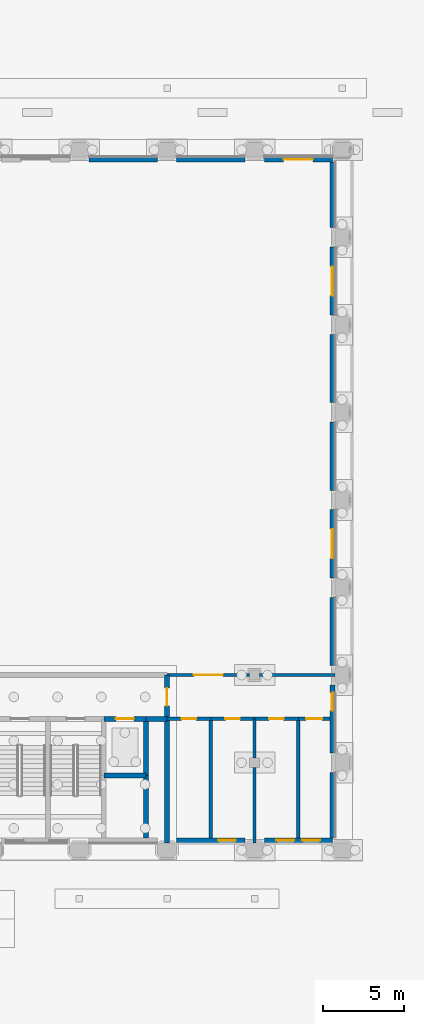
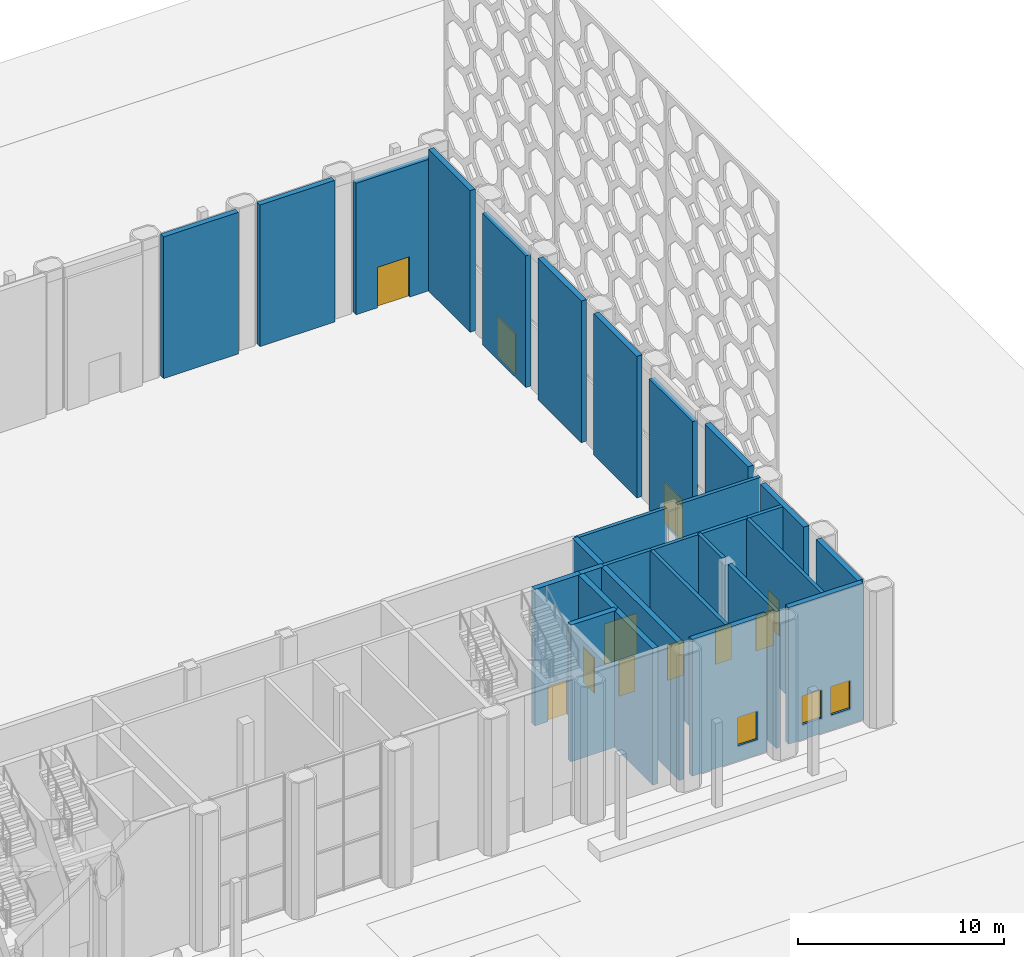
# One storey, part 36 of 54: 30 walls, 11 doors, 3 windows, 14 openings.
"""IFC4 building model written with IfcOpenShell, lengths in metres."""

from ifc_helpers import new_model, si_unit, direction, frame, frame_2d, origin, place, context, subcontext, project, spatial, rectangle, extrude, material, layer, layer_set, type_object, element, fill, save


model = new_model("IFC4")

# Units and contexts
model_context = context("Model", 3, precision=1e-05, world=origin(), true_north=direction((0.0, 1.0)))
body_context = subcontext(model_context, "Body", "Model", "MODEL_VIEW")
ifc_project = project(units=[si_unit("LENGTHUNIT", "METRE"), si_unit("AREAUNIT", "SQUARE_METRE"), si_unit("VOLUMEUNIT", "CUBIC_METRE"), si_unit("PLANEANGLEUNIT", "RADIAN"), si_unit("MASSUNIT", "GRAM", prefix="KILO")], contexts=[model_context])

# Site, building, storey
site_placement = place(None, origin())
site = spatial("IfcSite", under=ifc_project, at=site_placement, CompositionType="ELEMENT")
building_placement = place(site_placement, origin())
building = spatial("IfcBuilding", under=site, at=building_placement, Name="Tabaq Tower and Sports Hall", CompositionType="ELEMENT")
storey_placement = place(building_placement, origin())
storey = spatial("IfcBuildingStorey", under=building, at=storey_placement, Name="L00", CompositionType="ELEMENT", Elevation=0.0)

# Wall
ifc_material_1 = material(Name="Concrete C50/60", Category="concrete")
ifc_layer_1 = layer(ifc_material_1, 0.300048828125)
ifc_layer_set_1 = layer_set([ifc_layer_1], Name="HALL CORE WALL RC 300 C50/60")
wall_type_1 = type_object("IfcWallType", Name="HALL CORE WALL RC 300 C50/60", PredefinedType="SHEAR", material=ifc_layer_set_1)
wall_1_placement = place(storey_placement, frame((113.39990234375, 0.449951171875, 0.0), z_axis=(0.0, 0.0, 1.0), x_axis=(0.0, 1.0, 0.0)))
element("IfcWall", 1, at=wall_1_placement, inside=storey, type_object=wall_type_1, Name="L00 core wall 023", PredefinedType="SHEAR", context=body_context, shape_type="SweptSolid", body=[
    extrude(rectangle(XDim=7.650146484375, YDim=0.300048828125, at=frame_2d((3.8251953125, 0.0))), origin(), (0.0, 0.0, 1.0), 8.10009765625),
])

# Wall, opening, door
wall_2_placement = place(storey_placement, frame((113.39990234375, 8.10009765625, 0.0), z_axis=(0.0, 0.0, 1.0), x_axis=(0.0, 1.0, 0.0)))
wall_2 = element("IfcWall", 2, at=wall_2_placement, inside=storey, type_object=wall_type_1, Name="L00 core wall 032", PredefinedType="SHEAR", context=body_context, shape_type="SweptSolid", body=[
    extrude(rectangle(XDim=2.699951171875, YDim=0.300048828125, at=frame_2d((1.35009765625, 0.0))), origin(), (0.0, 0.0, 1.0), 8.10009765625),
])
opening_1_placement = place(wall_2_placement, frame((0.800048828125, 0.0, 0.0)))
opening_1 = element("IfcOpeningElement", 3, at=opening_1_placement, cuts=wall_2, Name="Opening HD032", PredefinedType="OPENING", context=body_context, shape_type="SweptSolid", body=[
    extrude(rectangle(XDim=1.10009765625, YDim=2.10009765625, at=frame_2d((0.550048828125, 1.050048828125))), frame((0.0, 0.14990234375, 0.0), z_axis=(0.0, -1.0, 0.0), x_axis=(1.0, 0.0, 0.0)), (0.0, 0.0, 1.0), 0.300048828125),
])
ifc_material_2 = material(Name="Steel fire door leaf in steel frame", Category="steel")
door_type_1 = type_object("IfcDoorType", Name="HALL FIRE DOOR 1100x2100", OperationType="SINGLE_SWING_LEFT", PredefinedType="DOOR", material=ifc_material_2)
door_1_placement = place(opening_1_placement, origin())
door_1 = element("IfcDoor", 4, at=door_1_placement, inside=storey, type_object=door_type_1, Name="Door HD032", OperationType="SINGLE_SWING_LEFT", OverallHeight=2.10009765625, OverallWidth=1.10009765625, PredefinedType="DOOR", context=body_context, shape_type="SweptSolid", body=[
    extrude(rectangle(XDim=1.10009765625, YDim=2.10009765625, at=frame_2d((0.550048828125, 1.050048828125))), frame((0.0, 0.02490234375, 0.0), z_axis=(0.0, -1.0, 0.0), x_axis=(1.0, 0.0, 0.0)), (0.0, 0.0, 1.0), 0.050048828125),
])
fill(opening_1, door_1)

# Walls
wall_3_placement = place(storey_placement, frame((109.5, 4.60009765625, 0.0), z_axis=(0.0, 0.0, 1.0), x_axis=(1.0, 0.0, 0.0)))
element("IfcWall", 5, at=wall_3_placement, inside=storey, type_object=wall_type_1, Name="L00 core wall 052", PredefinedType="SHEAR", context=body_context, shape_type="SweptSolid", body=[
    extrude(rectangle(XDim=2.60009765625, YDim=0.300048828125, at=frame_2d((1.300048828125, 0.0))), origin(), (0.0, 0.0, 1.0), 8.10009765625),
])
wall_4_placement = place(storey_placement, frame((112.10009765625, 4.60009765625, 0.0), z_axis=(0.0, 0.0, 1.0), x_axis=(0.0, 1.0, 0.0)))
element("IfcWall", 6, at=wall_4_placement, inside=storey, type_object=wall_type_1, Name="L00 core wall 053", PredefinedType="SHEAR", context=body_context, shape_type="SweptSolid", body=[
    extrude(rectangle(XDim=3.5, YDim=0.300048828125, at=frame_2d((1.75, 0.0))), origin(), (0.0, 0.0, 1.0), 8.10009765625),
])

# Wall, opening, door
wall_5_placement = place(storey_placement, frame((109.5, 8.10009765625, 0.0), z_axis=(0.0, 0.0, 1.0), x_axis=(1.0, 0.0, 0.0)))
wall_5 = element("IfcWall", 7, at=wall_5_placement, inside=storey, type_object=wall_type_1, Name="L00 core wall 054", PredefinedType="SHEAR", context=body_context, shape_type="SweptSolid", body=[
    extrude(rectangle(XDim=2.60009765625, YDim=0.300048828125, at=frame_2d((1.300048828125, 0.0))), origin(), (0.0, 0.0, 1.0), 8.10009765625),
])
opening_2_placement = place(wall_5_placement, frame((0.75, 0.0, 0.0)))
opening_2 = element("IfcOpeningElement", 8, at=opening_2_placement, cuts=wall_5, Name="Opening LDB-L00", PredefinedType="OPENING", context=body_context, shape_type="SweptSolid", body=[
    extrude(rectangle(XDim=1.10009765625, YDim=2.10009765625, at=frame_2d((0.550048828125, 1.050048828125))), frame((0.0, 0.14990234375, 0.0), z_axis=(0.0, -1.0, 0.0), x_axis=(1.0, 0.0, 0.0)), (0.0, 0.0, 1.0), 0.300048828125),
])
ifc_material_3 = material(Name="Stainless steel landing door panels", Category="steel")
door_type_2 = type_object("IfcDoorType", Name="HALL LIFT LANDING DOOR 1100x2100", OperationType="SLIDING_TO_LEFT", PredefinedType="DOOR", material=ifc_material_3)
door_2_placement = place(opening_2_placement, origin())
door_2 = element("IfcDoor", 9, at=door_2_placement, inside=storey, type_object=door_type_2, Name="Door LDB-L00", OperationType="SLIDING_TO_LEFT", OverallHeight=2.10009765625, OverallWidth=1.10009765625, PredefinedType="DOOR", context=body_context, shape_type="SweptSolid", body=[
    extrude(rectangle(XDim=1.10009765625, YDim=2.10009765625, at=frame_2d((0.550048828125, 1.050048828125))), frame((0.0, 0.02490234375, 0.0), z_axis=(0.0, -1.0, 0.0), x_axis=(1.0, 0.0, 0.0)), (0.0, 0.0, 1.0), 0.050048828125),
])
fill(opening_2, door_2)

# Walls
wall_6_placement = place(storey_placement, frame((112.10009765625, 0.75, 0.0), z_axis=(0.0, 0.0, 1.0), x_axis=(0.0, 1.0, 0.0)))
element("IfcWall", 10, at=wall_6_placement, inside=storey, type_object=wall_type_1, Name="L00 core wall 055", PredefinedType="SHEAR", context=body_context, shape_type="SweptSolid", body=[
    extrude(rectangle(XDim=3.85009765625, YDim=0.300048828125, at=frame_2d((1.925048828125, 0.0))), origin(), (0.0, 0.0, 1.0), 8.10009765625),
])
wall_7_placement = place(storey_placement, frame((112.10009765625, 8.10009765625, 0.0), z_axis=(0.0, 0.0, 1.0), x_axis=(1.0, 0.0, 0.0)))
element("IfcWall", 11, at=wall_7_placement, inside=storey, type_object=wall_type_1, Name="L00 core wall 056", PredefinedType="SHEAR", context=body_context, shape_type="SweptSolid", body=[
    extrude(rectangle(XDim=1.2998046875, YDim=0.300048828125, at=frame_2d((0.64990234375, 0.0))), origin(), (0.0, 0.0, 1.0), 8.10009765625),
])
ifc_material_4 = material(Name="Blockwork partition with plaster both faces", Category="masonry")
ifc_layer_2 = layer(ifc_material_4, 0.199951171875)
ifc_layer_set_2 = layer_set([ifc_layer_2], Name="HALL PARTITION 200")
wall_type_2 = type_object("IfcWallType", Name="HALL PARTITION 200", PredefinedType="PARTITIONING", material=ifc_layer_set_2)
wall_8_placement = place(storey_placement, frame((116.10009765625, 0.75, 0.0), z_axis=(0.0, 0.0, 1.0), x_axis=(0.0, 1.0, 0.0)))
element("IfcWall", 12, at=wall_8_placement, inside=storey, type_object=wall_type_2, Name="L00 partition 021", PredefinedType="PARTITIONING", context=body_context, shape_type="SweptSolid", body=[
    extrude(rectangle(XDim=7.35009765625, YDim=0.199951171875, at=frame_2d((3.675048828125, 0.0))), origin(), (0.0, 0.0, 1.0), 8.10009765625),
])

# Wall, opening, door
wall_9_placement = place(storey_placement, frame((113.39990234375, 8.10009765625, 0.0), z_axis=(0.0, 0.0, 1.0), x_axis=(1.0, 0.0, 0.0)))
wall_9 = element("IfcWall", 13, at=wall_9_placement, inside=storey, type_object=wall_type_2, Name="L00 partition 022", PredefinedType="PARTITIONING", context=body_context, shape_type="SweptSolid", body=[
    extrude(rectangle(XDim=2.7001953125, YDim=0.199951171875, at=frame_2d((1.35009765625, 0.0))), origin(), (0.0, 0.0, 1.0), 8.10009765625),
])
opening_3_placement = place(wall_9_placement, frame((0.89990234375, 0.0, 0.0)))
opening_3 = element("IfcOpeningElement", 14, at=opening_3_placement, cuts=wall_9, Name="Opening HD028", PredefinedType="OPENING", context=body_context, shape_type="SweptSolid", body=[
    extrude(rectangle(XDim=0.89990234375, YDim=2.10009765625, at=frame_2d((0.449951171875, 1.050048828125))), frame((0.0, 0.10009765625, 0.0), z_axis=(0.0, -1.0, 0.0), x_axis=(1.0, 0.0, 0.0)), (0.0, 0.0, 1.0), 0.199951171875),
])
ifc_material_5 = material(Name="Timber veneer door leaf in steel frame", Category="steel")
door_type_3 = type_object("IfcDoorType", Name="HALL DOOR SINGLE 900x2100", OperationType="SINGLE_SWING_LEFT", PredefinedType="DOOR", material=ifc_material_5)
door_3_placement = place(opening_3_placement, origin())
door_3 = element("IfcDoor", 15, at=door_3_placement, inside=storey, type_object=door_type_3, Name="Door HD028", OperationType="SINGLE_SWING_LEFT", OverallHeight=2.10009765625, OverallWidth=0.89990234375, PredefinedType="DOOR", context=body_context, shape_type="SweptSolid", body=[
    extrude(rectangle(XDim=0.89990234375, YDim=2.10009765625, at=frame_2d((0.449951171875, 1.050048828125))), frame((0.0, 0.02490234375, 0.0), z_axis=(0.0, -1.0, 0.0), x_axis=(1.0, 0.0, 0.0)), (0.0, 0.0, 1.0), 0.050048828125),
])
fill(opening_3, door_3)

# Walls
wall_10_placement = place(storey_placement, frame((118.800048828125, 0.449951171875, 0.0), z_axis=(0.0, 0.0, 1.0), x_axis=(0.0, 1.0, 0.0)))
element("IfcWall", 16, at=wall_10_placement, inside=storey, type_object=wall_type_2, Name="L00 partition 024", PredefinedType="PARTITIONING", context=body_context, shape_type="SweptSolid", body=[
    extrude(rectangle(XDim=4.650146484375, YDim=0.199951171875, at=frame_2d((2.3251953125, 0.0))), origin(), (0.0, 0.0, 1.0), 8.10009765625),
])
wall_11_placement = place(storey_placement, frame((118.800048828125, 5.699951171875, 0.0), z_axis=(0.0, 0.0, 1.0), x_axis=(0.0, 1.0, 0.0)))
element("IfcWall", 17, at=wall_11_placement, inside=storey, type_object=wall_type_2, Name="L00 partition 025", PredefinedType="PARTITIONING", context=body_context, shape_type="SweptSolid", body=[
    extrude(rectangle(XDim=2.400146484375, YDim=0.199951171875, at=frame_2d((1.2001953125, 0.0))), origin(), (0.0, 0.0, 1.0), 8.10009765625),
])

# Wall, opening, door
wall_12_placement = place(storey_placement, frame((116.10009765625, 8.10009765625, 0.0), z_axis=(0.0, 0.0, 1.0), x_axis=(1.0, 0.0, 0.0)))
wall_12 = element("IfcWall", 18, at=wall_12_placement, inside=storey, type_object=wall_type_2, Name="L00 partition 026", PredefinedType="PARTITIONING", context=body_context, shape_type="SweptSolid", body=[
    extrude(rectangle(XDim=2.699951171875, YDim=0.199951171875, at=frame_2d((1.35009765625, 0.0))), origin(), (0.0, 0.0, 1.0), 8.10009765625),
])
opening_4_placement = place(wall_12_placement, frame((0.89990234375, 0.0, 0.0)))
opening_4 = element("IfcOpeningElement", 19, at=opening_4_placement, cuts=wall_12, Name="Opening HD029", PredefinedType="OPENING", context=body_context, shape_type="SweptSolid", body=[
    extrude(rectangle(XDim=0.89990234375, YDim=2.10009765625, at=frame_2d((0.449951171875, 1.050048828125))), frame((0.0, 0.10009765625, 0.0), z_axis=(0.0, -1.0, 0.0), x_axis=(1.0, 0.0, 0.0)), (0.0, 0.0, 1.0), 0.199951171875),
])
door_4_placement = place(opening_4_placement, origin())
door_4 = element("IfcDoor", 20, at=door_4_placement, inside=storey, type_object=door_type_3, Name="Door HD029", OperationType="SINGLE_SWING_LEFT", OverallHeight=2.10009765625, OverallWidth=0.89990234375, PredefinedType="DOOR", context=body_context, shape_type="SweptSolid", body=[
    extrude(rectangle(XDim=0.89990234375, YDim=2.10009765625, at=frame_2d((0.449951171875, 1.050048828125))), frame((0.0, 0.02490234375, 0.0), z_axis=(0.0, -1.0, 0.0), x_axis=(1.0, 0.0, 0.0)), (0.0, 0.0, 1.0), 0.050048828125),
])
fill(opening_4, door_4)

# Wall
wall_13_placement = place(storey_placement, frame((121.5, 0.75, 0.0), z_axis=(0.0, 0.0, 1.0), x_axis=(0.0, 1.0, 0.0)))
element("IfcWall", 21, at=wall_13_placement, inside=storey, type_object=wall_type_2, Name="L00 partition 027", PredefinedType="PARTITIONING", context=body_context, shape_type="SweptSolid", body=[
    extrude(rectangle(XDim=7.35009765625, YDim=0.199951171875, at=frame_2d((3.675048828125, 0.0))), origin(), (0.0, 0.0, 1.0), 8.10009765625),
])

# Wall, opening, door
wall_14_placement = place(storey_placement, frame((118.800048828125, 8.10009765625, 0.0), z_axis=(0.0, 0.0, 1.0), x_axis=(1.0, 0.0, 0.0)))
wall_14 = element("IfcWall", 22, at=wall_14_placement, inside=storey, type_object=wall_type_2, Name="L00 partition 028", PredefinedType="PARTITIONING", context=body_context, shape_type="SweptSolid", body=[
    extrude(rectangle(XDim=2.699951171875, YDim=0.199951171875, at=frame_2d((1.35009765625, 0.0))), origin(), (0.0, 0.0, 1.0), 8.10009765625),
])
opening_5_placement = place(wall_14_placement, frame((0.89990234375, 0.0, 0.0)))
opening_5 = element("IfcOpeningElement", 23, at=opening_5_placement, cuts=wall_14, Name="Opening HD030", PredefinedType="OPENING", context=body_context, shape_type="SweptSolid", body=[
    extrude(rectangle(XDim=0.89990234375, YDim=2.10009765625, at=frame_2d((0.449951171875, 1.050048828125))), frame((0.0, 0.10009765625, 0.0), z_axis=(0.0, -1.0, 0.0), x_axis=(1.0, 0.0, 0.0)), (0.0, 0.0, 1.0), 0.199951171875),
])
door_5_placement = place(opening_5_placement, origin())
door_5 = element("IfcDoor", 24, at=door_5_placement, inside=storey, type_object=door_type_3, Name="Door HD030", OperationType="SINGLE_SWING_LEFT", OverallHeight=2.10009765625, OverallWidth=0.89990234375, PredefinedType="DOOR", context=body_context, shape_type="SweptSolid", body=[
    extrude(rectangle(XDim=0.89990234375, YDim=2.10009765625, at=frame_2d((0.449951171875, 1.050048828125))), frame((0.0, 0.02490234375, 0.0), z_axis=(0.0, -1.0, 0.0), x_axis=(1.0, 0.0, 0.0)), (0.0, 0.0, 1.0), 0.050048828125),
])
fill(opening_5, door_5)

wall_15_placement = place(storey_placement, frame((121.5, 8.10009765625, 0.0), z_axis=(0.0, 0.0, 1.0), x_axis=(1.0, 0.0, 0.0)))
wall_15 = element("IfcWall", 25, at=wall_15_placement, inside=storey, type_object=wall_type_2, Name="L00 partition 029", PredefinedType="PARTITIONING", context=body_context, shape_type="SweptSolid", body=[
    extrude(rectangle(XDim=1.949951171875, YDim=0.199951171875, at=frame_2d((0.97509765625, 0.0))), origin(), (0.0, 0.0, 1.0), 8.10009765625),
])
opening_6_placement = place(wall_15_placement, frame((0.47509765625, 0.0, 0.0)))
opening_6 = element("IfcOpeningElement", 26, at=opening_6_placement, cuts=wall_15, Name="Opening HD031", PredefinedType="OPENING", context=body_context, shape_type="SweptSolid", body=[
    extrude(rectangle(XDim=1.0, YDim=2.10009765625, at=frame_2d((0.5, 1.050048828125))), frame((0.0, 0.10009765625, 0.0), z_axis=(0.0, -1.0, 0.0), x_axis=(1.0, 0.0, 0.0)), (0.0, 0.0, 1.0), 0.199951171875),
])
ifc_material_6 = material(Name="Timber veneer door leaf in steel frame", Category="steel")
door_type_4 = type_object("IfcDoorType", Name="HALL DOOR SINGLE 1000x2100", OperationType="SINGLE_SWING_LEFT", PredefinedType="DOOR", material=ifc_material_6)
door_6_placement = place(opening_6_placement, origin())
door_6 = element("IfcDoor", 27, at=door_6_placement, inside=storey, type_object=door_type_4, Name="Door HD031", OperationType="SINGLE_SWING_LEFT", OverallHeight=2.10009765625, OverallWidth=1.0, PredefinedType="DOOR", context=body_context, shape_type="SweptSolid", body=[
    extrude(rectangle(XDim=1.0, YDim=2.10009765625, at=frame_2d((0.5, 1.050048828125))), frame((0.0, 0.02490234375, 0.0), z_axis=(0.0, -1.0, 0.0), x_axis=(1.0, 0.0, 0.0)), (0.0, 0.0, 1.0), 0.050048828125),
])
fill(opening_6, door_6)

wall_16_placement = place(storey_placement, frame((113.39990234375, 10.800048828125, 0.0), z_axis=(0.0, 0.0, 1.0), x_axis=(1.0, 0.0, 0.0)))
wall_16 = element("IfcWall", 28, at=wall_16_placement, inside=storey, type_object=wall_type_2, Name="L00 partition 030", PredefinedType="PARTITIONING", context=body_context, shape_type="SweptSolid", body=[
    extrude(rectangle(XDim=5.10009765625, YDim=0.199951171875, at=frame_2d((2.550048828125, 0.0))), origin(), (0.0, 0.0, 1.0), 8.10009765625),
])
opening_7_placement = place(wall_16_placement, frame((1.64990234375, 0.0, 0.0)))
opening_7 = element("IfcOpeningElement", 29, at=opening_7_placement, cuts=wall_16, Name="Opening HD033", PredefinedType="OPENING", context=body_context, shape_type="SweptSolid", body=[
    extrude(rectangle(XDim=1.800048828125, YDim=2.39990234375, at=frame_2d((0.89990234375, 1.199951171875))), frame((0.0, 0.10009765625, 0.0), z_axis=(0.0, -1.0, 0.0), x_axis=(1.0, 0.0, 0.0)), (0.0, 0.0, 1.0), 0.199951171875),
])
ifc_material_7 = material(Name="Aluminium framed glazed door leaves", Category="aluminium")
door_type_5 = type_object("IfcDoorType", Name="HALL DOOR DOUBLE 1800x2400", OperationType="DOUBLE_DOOR_SINGLE_SWING", PredefinedType="DOOR", material=ifc_material_7)
door_7_placement = place(opening_7_placement, origin())
door_7 = element("IfcDoor", 30, at=door_7_placement, inside=storey, type_object=door_type_5, Name="Door HD033", OperationType="DOUBLE_DOOR_SINGLE_SWING", OverallHeight=2.39990234375, OverallWidth=1.800048828125, PredefinedType="DOOR", context=body_context, shape_type="SweptSolid", body=[
    extrude(rectangle(XDim=1.800048828125, YDim=2.39990234375, at=frame_2d((0.89990234375, 1.199951171875))), frame((0.0, 0.02490234375, 0.0), z_axis=(0.0, -1.0, 0.0), x_axis=(1.0, 0.0, 0.0)), (0.0, 0.0, 1.0), 0.050048828125),
])
fill(opening_7, door_7)

# Wall
wall_17_placement = place(storey_placement, frame((119.10009765625, 10.800048828125, 0.0), z_axis=(0.0, 0.0, 1.0), x_axis=(1.0, 0.0, 0.0)))
element("IfcWall", 31, at=wall_17_placement, inside=storey, type_object=wall_type_2, Name="L00 partition 031", PredefinedType="PARTITIONING", context=body_context, shape_type="SweptSolid", body=[
    extrude(rectangle(XDim=4.64990234375, YDim=0.199951171875, at=frame_2d((2.324951171875, 0.0))), origin(), (0.0, 0.0, 1.0), 8.10009765625),
])

# Wall, opening, window
ifc_material_8 = material(Name="White precast concrete C60/75", Category="concrete")
ifc_layer_3 = layer(ifc_material_8, 0.300048828125)
ifc_layer_set_3 = layer_set([ifc_layer_3], Name="White precast concrete C60/75 external wall 300")
wall_type_3 = type_object("IfcWallType", Name="White precast concrete C60/75 external wall 300", PredefinedType="SOLIDWALL", material=ifc_layer_set_3)
wall_18_placement = place(storey_placement, frame((114.0, 0.60009765625, 0.0), z_axis=(0.0, 0.0, 1.0), x_axis=(1.0, 0.0, 0.0)))
wall_18 = element("IfcWall", 32, at=wall_18_placement, inside=storey, type_object=wall_type_3, Name="L00 S facade panel", PredefinedType="SOLIDWALL", context=body_context, shape_type="SweptSolid", body=[
    extrude(rectangle(XDim=4.199951171875, YDim=0.300048828125, at=frame_2d((2.10009765625, 0.0))), origin(), (0.0, 0.0, 1.0), 8.10009765625),
])
opening_8_placement = place(wall_18_placement, frame((2.550048828125, 0.0, 0.89990234375)))
opening_8 = element("IfcOpeningElement", 33, at=opening_8_placement, cuts=wall_18, Name="Opening HW013", PredefinedType="OPENING", context=body_context, shape_type="SweptSolid", body=[
    extrude(rectangle(XDim=1.10009765625, YDim=1.699951171875, at=frame_2d((0.550048828125, 0.85009765625))), frame((0.0, 0.14990234375, 0.0), z_axis=(0.0, -1.0, 0.0), x_axis=(1.0, 0.0, 0.0)), (0.0, 0.0, 1.0), 0.300048828125),
])
ifc_material_9 = material(Name="Aluminium framed clear glazing", Category="aluminium")
window_type = type_object("IfcWindowType", Name="Window W1B", PartitioningType="SINGLE_PANEL", PredefinedType="WINDOW", material=ifc_material_9)
window_1_placement = place(opening_8_placement, origin())
window_1 = element("IfcWindow", 34, at=window_1_placement, inside=storey, type_object=window_type, Name="Window HW013", OverallHeight=1.699951171875, OverallWidth=1.10009765625, PartitioningType="SINGLE_PANEL", PredefinedType="WINDOW", context=body_context, shape_type="SweptSolid", body=[
    extrude(rectangle(XDim=1.10009765625, YDim=1.699951171875, at=frame_2d((0.550048828125, 0.85009765625))), frame((0.0, 0.030029296875, 0.0), z_axis=(0.0, -1.0, 0.0), x_axis=(1.0, 0.0, 0.0)), (0.0, 0.0, 1.0), 0.06005859375),
])
fill(opening_8, window_1)

# Wall, openings, windows
wall_19_placement = place(storey_placement, frame((119.39990234375, 0.60009765625, 0.0), z_axis=(0.0, 0.0, 1.0), x_axis=(1.0, 0.0, 0.0)))
wall_19 = element("IfcWall", 35, at=wall_19_placement, inside=storey, type_object=wall_type_3, Name="L00 S facade panel", PredefinedType="SOLIDWALL", context=body_context, shape_type="SweptSolid", body=[
    extrude(rectangle(XDim=4.2001953125, YDim=0.300048828125, at=frame_2d((2.10009765625, 0.0))), origin(), (0.0, 0.0, 1.0), 8.10009765625),
])
opening_9_placement = place(wall_19_placement, frame((0.75, 0.0, 0.89990234375)))
opening_9 = element("IfcOpeningElement", 36, at=opening_9_placement, cuts=wall_19, Name="Opening HW019", PredefinedType="OPENING", context=body_context, shape_type="SweptSolid", body=[
    extrude(rectangle(XDim=1.10009765625, YDim=1.699951171875, at=frame_2d((0.550048828125, 0.85009765625))), frame((0.0, 0.14990234375, 0.0), z_axis=(0.0, -1.0, 0.0), x_axis=(1.0, 0.0, 0.0)), (0.0, 0.0, 1.0), 0.300048828125),
])
opening_10_placement = place(wall_19_placement, frame((2.35009765625, 0.0, 0.89990234375)))
opening_10 = element("IfcOpeningElement", 37, at=opening_10_placement, cuts=wall_19, Name="Opening HW020", PredefinedType="OPENING", context=body_context, shape_type="SweptSolid", body=[
    extrude(rectangle(XDim=1.10009765625, YDim=1.699951171875, at=frame_2d((0.550048828125, 0.85009765625))), frame((0.0, 0.14990234375, 0.0), z_axis=(0.0, -1.0, 0.0), x_axis=(1.0, 0.0, 0.0)), (0.0, 0.0, 1.0), 0.300048828125),
])
window_2_placement = place(opening_9_placement, origin())
window_2 = element("IfcWindow", 38, at=window_2_placement, inside=storey, type_object=window_type, Name="Window HW019", OverallHeight=1.699951171875, OverallWidth=1.10009765625, PartitioningType="SINGLE_PANEL", PredefinedType="WINDOW", context=body_context, shape_type="SweptSolid", body=[
    extrude(rectangle(XDim=1.10009765625, YDim=1.699951171875, at=frame_2d((0.550048828125, 0.85009765625))), frame((0.0, 0.030029296875, 0.0), z_axis=(0.0, -1.0, 0.0), x_axis=(1.0, 0.0, 0.0)), (0.0, 0.0, 1.0), 0.06005859375),
])
fill(opening_9, window_2)
window_3_placement = place(opening_10_placement, origin())
window_3 = element("IfcWindow", 39, at=window_3_placement, inside=storey, type_object=window_type, Name="Window HW020", OverallHeight=1.699951171875, OverallWidth=1.10009765625, PartitioningType="SINGLE_PANEL", PredefinedType="WINDOW", context=body_context, shape_type="SweptSolid", body=[
    extrude(rectangle(XDim=1.10009765625, YDim=1.699951171875, at=frame_2d((0.550048828125, 0.85009765625))), frame((0.0, 0.030029296875, 0.0), z_axis=(0.0, -1.0, 0.0), x_axis=(1.0, 0.0, 0.0)), (0.0, 0.0, 1.0), 0.06005859375),
])
fill(opening_10, window_3)

# Walls
for number, where, z_axis, x_axis, name in (
    (40, (108.60009765625, 42.60009765625, 0.0), (0.0, 0.0, 1.0), (1.0, 0.0, 0.0), "L00 N facade panel"),
    (41, (114.0, 42.60009765625, 0.0), (0.0, 0.0, 1.0), (1.0, 0.0, 0.0), "L00 N facade panel"),
):
    element("IfcWall", number, at=place(storey_placement, frame(where, z_axis=z_axis, x_axis=x_axis)), inside=storey, type_object=wall_type_3, Name=name, PredefinedType="SOLIDWALL", context=body_context, shape_type="SweptSolid", body=[
        extrude(rectangle(XDim=4.199951171875, YDim=0.300048828125, at=frame_2d((2.10009765625, 0.0))), origin(), (0.0, 0.0, 1.0), 8.39990234375),
    ])

# Wall, opening, door
wall_20_placement = place(storey_placement, frame((119.39990234375, 42.60009765625, 0.0), z_axis=(0.0, 0.0, 1.0), x_axis=(1.0, 0.0, 0.0)))
wall_20 = element("IfcWall", 42, at=wall_20_placement, inside=storey, type_object=wall_type_3, Name="L00 N facade panel", PredefinedType="SOLIDWALL", context=body_context, shape_type="SweptSolid", body=[
    extrude(rectangle(XDim=4.2001953125, YDim=0.300048828125, at=frame_2d((2.10009765625, 0.0))), origin(), (0.0, 0.0, 1.0), 7.800048828125),
])
opening_11_placement = place(wall_20_placement, frame((1.199951171875, 0.0, 0.0)))
opening_11 = element("IfcOpeningElement", 43, at=opening_11_placement, cuts=wall_20, Name="Opening HD009", PredefinedType="OPENING", context=body_context, shape_type="SweptSolid", body=[
    extrude(rectangle(XDim=1.800048828125, YDim=2.39990234375, at=frame_2d((0.89990234375, 1.199951171875))), frame((0.0, 0.14990234375, 0.0), z_axis=(0.0, -1.0, 0.0), x_axis=(1.0, 0.0, 0.0)), (0.0, 0.0, 1.0), 0.300048828125),
])
ifc_material_10 = material(Name="Steel exit door leaves in steel frame", Category="steel")
door_type_6 = type_object("IfcDoorType", Name="HALL EXIT DOOR DOUBLE 1800x2400", OperationType="DOUBLE_DOOR_SINGLE_SWING", PredefinedType="DOOR", material=ifc_material_10)
door_8_placement = place(opening_11_placement, origin())
door_8 = element("IfcDoor", 44, at=door_8_placement, inside=storey, type_object=door_type_6, Name="Door HD009", OperationType="DOUBLE_DOOR_SINGLE_SWING", OverallHeight=2.39990234375, OverallWidth=1.800048828125, PredefinedType="DOOR", context=body_context, shape_type="SweptSolid", body=[
    extrude(rectangle(XDim=1.800048828125, YDim=2.39990234375, at=frame_2d((0.89990234375, 1.199951171875))), frame((0.0, 0.02490234375, 0.0), z_axis=(0.0, -1.0, 0.0), x_axis=(1.0, 0.0, 0.0)), (0.0, 0.0, 1.0), 0.050048828125),
])
fill(opening_11, door_8)

# Wall
wall_21_placement = place(storey_placement, frame((123.60009765625, 0.75, 0.0), z_axis=(0.0, 0.0, 1.0), x_axis=(0.0, 1.0, 0.0)))
element("IfcWall", 45, at=wall_21_placement, inside=storey, type_object=wall_type_3, Name="L00 E facade panel", PredefinedType="SOLIDWALL", context=body_context, shape_type="SweptSolid", body=[
    extrude(rectangle(XDim=4.050048828125, YDim=0.300048828125, at=frame_2d((2.02490234375, 0.0))), origin(), (0.0, 0.0, 1.0), 8.10009765625),
])

# Wall, opening, door
wall_22_placement = place(storey_placement, frame((123.60009765625, 6.0, 0.0), z_axis=(0.0, 0.0, 1.0), x_axis=(0.0, 1.0, 0.0)))
wall_22 = element("IfcWall", 46, at=wall_22_placement, inside=storey, type_object=wall_type_3, Name="L00 E facade panel", PredefinedType="SOLIDWALL", context=body_context, shape_type="SweptSolid", body=[
    extrude(rectangle(XDim=4.199951171875, YDim=0.300048828125, at=frame_2d((2.10009765625, 0.0))), origin(), (0.0, 0.0, 1.0), 8.10009765625),
])
opening_12_placement = place(wall_22_placement, frame((2.60009765625, 0.0, 0.0)))
opening_12 = element("IfcOpeningElement", 47, at=opening_12_placement, cuts=wall_22, Name="Opening HD014", PredefinedType="OPENING", context=body_context, shape_type="SweptSolid", body=[
    extrude(rectangle(XDim=1.10009765625, YDim=2.10009765625, at=frame_2d((0.550048828125, 1.050048828125))), frame((0.0, 0.14990234375, 0.0), z_axis=(0.0, -1.0, 0.0), x_axis=(1.0, 0.0, 0.0)), (0.0, 0.0, 1.0), 0.300048828125),
])
door_9_placement = place(opening_12_placement, origin())
door_9 = element("IfcDoor", 48, at=door_9_placement, inside=storey, type_object=door_type_1, Name="Door HD014", OperationType="SINGLE_SWING_LEFT", OverallHeight=2.10009765625, OverallWidth=1.10009765625, PredefinedType="DOOR", context=body_context, shape_type="SweptSolid", body=[
    extrude(rectangle(XDim=1.10009765625, YDim=2.10009765625, at=frame_2d((0.550048828125, 1.050048828125))), frame((0.0, 0.02490234375, 0.0), z_axis=(0.0, -1.0, 0.0), x_axis=(1.0, 0.0, 0.0)), (0.0, 0.0, 1.0), 0.050048828125),
])
fill(opening_12, door_9)

# Wall
wall_23_placement = place(storey_placement, frame((123.60009765625, 11.39990234375, 0.0), z_axis=(0.0, 0.0, 1.0), x_axis=(0.0, 1.0, 0.0)))
element("IfcWall", 49, at=wall_23_placement, inside=storey, type_object=wall_type_3, Name="L00 E facade panel", PredefinedType="SOLIDWALL", context=body_context, shape_type="SweptSolid", body=[
    extrude(rectangle(XDim=4.2001953125, YDim=0.300048828125, at=frame_2d((2.10009765625, 0.0))), origin(), (0.0, 0.0, 1.0), 8.39990234375),
])

# Wall, opening, door
wall_24_placement = place(storey_placement, frame((123.60009765625, 16.800048828125, 0.0), z_axis=(0.0, 0.0, 1.0), x_axis=(0.0, 1.0, 0.0)))
wall_24 = element("IfcWall", 50, at=wall_24_placement, inside=storey, type_object=wall_type_3, Name="L00 E facade panel", PredefinedType="SOLIDWALL", context=body_context, shape_type="SweptSolid", body=[
    extrude(rectangle(XDim=4.199951171875, YDim=0.300048828125, at=frame_2d((2.10009765625, 0.0))), origin(), (0.0, 0.0, 1.0), 7.800048828125),
])
opening_13_placement = place(wall_24_placement, frame((1.199951171875, 0.0, 0.0)))
opening_13 = element("IfcOpeningElement", 51, at=opening_13_placement, cuts=wall_24, Name="Opening HD015", PredefinedType="OPENING", context=body_context, shape_type="SweptSolid", body=[
    extrude(rectangle(XDim=1.800048828125, YDim=2.39990234375, at=frame_2d((0.89990234375, 1.199951171875))), frame((0.0, 0.14990234375, 0.0), z_axis=(0.0, -1.0, 0.0), x_axis=(1.0, 0.0, 0.0)), (0.0, 0.0, 1.0), 0.300048828125),
])
door_10_placement = place(opening_13_placement, origin())
door_10 = element("IfcDoor", 52, at=door_10_placement, inside=storey, type_object=door_type_6, Name="Door HD015", OperationType="DOUBLE_DOOR_SINGLE_SWING", OverallHeight=2.39990234375, OverallWidth=1.800048828125, PredefinedType="DOOR", context=body_context, shape_type="SweptSolid", body=[
    extrude(rectangle(XDim=1.800048828125, YDim=2.39990234375, at=frame_2d((0.89990234375, 1.199951171875))), frame((0.0, 0.02490234375, 0.0), z_axis=(0.0, -1.0, 0.0), x_axis=(1.0, 0.0, 0.0)), (0.0, 0.0, 1.0), 0.050048828125),
])
fill(opening_13, door_10)

# Walls
for number, where, z_axis, x_axis, name in (
    (53, (123.60009765625, 22.199951171875, 0.0), (0.0, 0.0, 1.0), (0.0, 1.0, 0.0), "L00 E facade panel"),
    (54, (123.60009765625, 27.60009765625, 0.0), (0.0, 0.0, 1.0), (0.0, 1.0, 0.0), "L00 E facade panel"),
):
    element("IfcWall", number, at=place(storey_placement, frame(where, z_axis=z_axis, x_axis=x_axis)), inside=storey, type_object=wall_type_3, Name=name, PredefinedType="SOLIDWALL", context=body_context, shape_type="SweptSolid", body=[
        extrude(rectangle(XDim=4.199951171875, YDim=0.300048828125, at=frame_2d((2.10009765625, 0.0))), origin(), (0.0, 0.0, 1.0), 8.39990234375),
    ])

# Wall, opening, door
wall_25_placement = place(storey_placement, frame((123.60009765625, 33.0, 0.0), z_axis=(0.0, 0.0, 1.0), x_axis=(0.0, 1.0, 0.0)))
wall_25 = element("IfcWall", 55, at=wall_25_placement, inside=storey, type_object=wall_type_3, Name="L00 E facade panel", PredefinedType="SOLIDWALL", context=body_context, shape_type="SweptSolid", body=[
    extrude(rectangle(XDim=4.199951171875, YDim=0.300048828125, at=frame_2d((2.10009765625, 0.0))), origin(), (0.0, 0.0, 1.0), 7.800048828125),
])
opening_14_placement = place(wall_25_placement, frame((1.199951171875, 0.0, 0.0)))
opening_14 = element("IfcOpeningElement", 56, at=opening_14_placement, cuts=wall_25, Name="Opening HD016", PredefinedType="OPENING", context=body_context, shape_type="SweptSolid", body=[
    extrude(rectangle(XDim=1.800048828125, YDim=2.39990234375, at=frame_2d((0.89990234375, 1.199951171875))), frame((0.0, 0.14990234375, 0.0), z_axis=(0.0, -1.0, 0.0), x_axis=(1.0, 0.0, 0.0)), (0.0, 0.0, 1.0), 0.300048828125),
])
door_11_placement = place(opening_14_placement, origin())
door_11 = element("IfcDoor", 57, at=door_11_placement, inside=storey, type_object=door_type_6, Name="Door HD016", OperationType="DOUBLE_DOOR_SINGLE_SWING", OverallHeight=2.39990234375, OverallWidth=1.800048828125, PredefinedType="DOOR", context=body_context, shape_type="SweptSolid", body=[
    extrude(rectangle(XDim=1.800048828125, YDim=2.39990234375, at=frame_2d((0.89990234375, 1.199951171875))), frame((0.0, 0.02490234375, 0.0), z_axis=(0.0, -1.0, 0.0), x_axis=(1.0, 0.0, 0.0)), (0.0, 0.0, 1.0), 0.050048828125),
])
fill(opening_14, door_11)

# Wall
wall_26_placement = place(storey_placement, frame((123.60009765625, 38.39990234375, 0.0), z_axis=(0.0, 0.0, 1.0), x_axis=(0.0, 1.0, 0.0)))
element("IfcWall", 58, at=wall_26_placement, inside=storey, type_object=wall_type_3, Name="L00 E facade panel", PredefinedType="SOLIDWALL", context=body_context, shape_type="SweptSolid", body=[
    extrude(rectangle(XDim=4.050048828125, YDim=0.300048828125, at=frame_2d((2.02490234375, 0.0))), origin(), (0.0, 0.0, 1.0), 8.39990234375),
])

save(model, "model.ifc")
